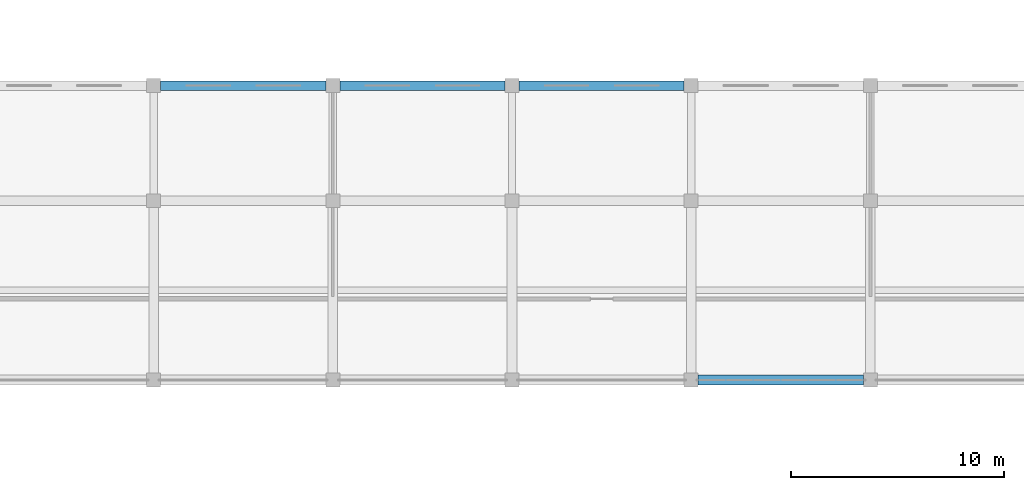
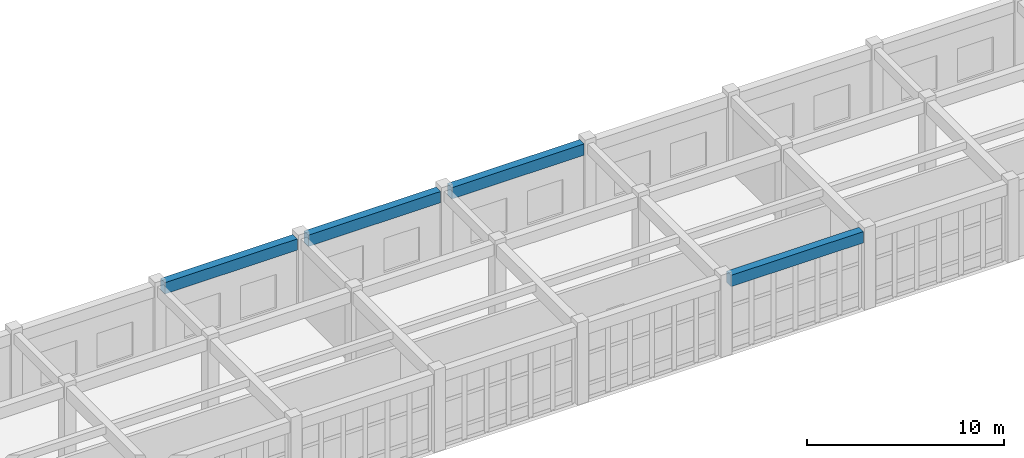
# One storey, part 38 of 80: 4 beams.
"""IFC4 building model written with IfcOpenShell, lengths in metres."""

import ifcopenshell
import ifcopenshell.guid

model = None  # the IFC model being written
_history = None  # IfcOwnerHistory: only IFC2X3 demands one
_inside = {}  # id of a spatial element -> (the spatial element, [elements in it])
_under = {}  # id of a project, library or spatial element -> (it, [spatial elements below it])
_declared = {}  # id of a project -> (the project, [libraries it declares])
_typed = {}  # id of a type object -> (the type object, [elements of that type])
_made_of = {}  # id of a material, layer set ... -> (it, [elements and type objects made of it])


def new_model(schema):
    """Start an empty IFC model of exactly this schema.

    Asked for "IFC4X3", IfcOpenShell would pick the latest addendum, in which some entities
    have other attributes; the version numbers below select the first issue.
    IFC2X3 requires an IfcOwnerHistory on every rooted entity: one is made here for all.
    """
    global model, _history
    if schema == "IFC4X3":
        model = ifcopenshell.file(schema_version=(4, 3, 0, 0))
    else:
        model = ifcopenshell.file(schema=schema)
    _inside.clear()
    _under.clear()
    _declared.clear()
    _typed.clear()
    _made_of.clear()
    _history = None
    if model.schema == "IFC2X3":
        org = make("IfcOrganization", Name="unknown")
        user = make(
            "IfcPersonAndOrganization",
            ThePerson=make("IfcPerson", FamilyName="unknown"),
            TheOrganization=org,
        )
        app = make(
            "IfcApplication",
            ApplicationDeveloper=org,
            Version="unknown",
            ApplicationFullName="unknown",
            ApplicationIdentifier="unknown",
        )
        _history = make(
            "IfcOwnerHistory",
            OwningUser=user,
            OwningApplication=app,
            ChangeAction="ADDED",
            CreationDate=0,
        )
    return model


def make(cls, **values):
    """One entity of the class cls with the attributes given. An attribute that is None is left unset."""
    return model.create_entity(
        cls, **{name: value for name, value in values.items() if value is not None}
    )


def rooted(cls, **values):
    """An entity with a GlobalId (a new one), such as an element, a storey or a relation."""
    return make(cls, GlobalId=ifcopenshell.guid.new(), OwnerHistory=_history, **values)


def si_unit(unit_type, name, prefix=None):
    """IfcSIUnit, for example si_unit("LENGTHUNIT", "METRE", prefix="MILLI")."""
    return make("IfcSIUnit", UnitType=unit_type, Prefix=prefix, Name=name)


def assignment(units):
    """IfcUnitAssignment: the units of a project."""
    return None if units is None else make("IfcUnitAssignment", Units=units)


def point(xyz):
    """IfcCartesianPoint."""
    return None if xyz is None else make("IfcCartesianPoint", Coordinates=xyz)


def direction(xyz):
    """IfcDirection."""
    return None if xyz is None else make("IfcDirection", DirectionRatios=xyz)


def frame(location, z_axis=None, x_axis=None):
    """IfcAxis2Placement3D, a coordinate frame: its origin and axes. An axis left out is left unset."""
    return make(
        "IfcAxis2Placement3D",
        Location=point(location),
        Axis=direction(z_axis),
        RefDirection=direction(x_axis),
    )


def frame_2d(location, x_axis=None):
    """IfcAxis2Placement2D, a coordinate frame in the plane: its origin and x axis."""
    return make(
        "IfcAxis2Placement2D", Location=point(location), RefDirection=direction(x_axis)
    )


def origin():
    """The frame at (0, 0, 0) with its axes left unset."""
    return frame((0.0, 0.0, 0.0))


def origin_2d():
    """The frame at (0, 0) in the plane with its x axis left unset."""
    return frame_2d((0.0, 0.0))


def place(relative_to, where):
    """IfcLocalPlacement: puts the frame where relative to a parent placement (None: the world)."""
    return make(
        "IfcLocalPlacement", PlacementRelTo=relative_to, RelativePlacement=where
    )


def context(
    kind, dimensions, precision=None, world=None, true_north=None, identifier=None
):
    """IfcGeometricRepresentationContext, for example the 3D "Model" context."""
    return make(
        "IfcGeometricRepresentationContext",
        ContextIdentifier=identifier,
        ContextType=kind,
        CoordinateSpaceDimension=dimensions,
        Precision=precision,
        WorldCoordinateSystem=world,
        TrueNorth=true_north,
    )


def subcontext(parent, identifier, kind, view, scale=None):
    """IfcGeometricRepresentationSubContext, for example "Body" below "Model"."""
    return make(
        "IfcGeometricRepresentationSubContext",
        ContextIdentifier=identifier,
        ContextType=kind,
        ParentContext=parent,
        TargetScale=scale,
        TargetView=view,
    )


def project(units=None, contexts=None):
    """IfcProject with its units and contexts."""
    return rooted(
        "IfcProject",
        Name="project",
        RepresentationContexts=contexts,
        UnitsInContext=assignment(units),
    )


def spatial(cls, under=None, at=None, **own):
    """A site, building, storey or space (cls), placed at a placement, below another one or the project."""
    s = rooted(cls, ObjectPlacement=at, **own)
    if under is not None:
        _under.setdefault(under.id(), (under, []))[1].append(s)
    return s


def profile(cls, at=None, kind="AREA", **sizes):
    """A parametric profile (cls). Its sizes go by their IFC names, for example OverallWidth=200.0."""
    return make(cls, ProfileType=kind, Position=at, **sizes)


def rectangle(**sizes):
    """IfcRectangleProfileDef."""
    return profile("IfcRectangleProfileDef", **sizes)


def extrude(swept, where, along, depth):
    """IfcExtrudedAreaSolid: the profile swept, set in the frame where, extruded along a direction by depth."""
    return make(
        "IfcExtrudedAreaSolid",
        SweptArea=swept,
        Position=where,
        ExtrudedDirection=direction(along),
        Depth=depth,
    )


def shape(context_of_items, identifier, shape_type, items):
    """IfcShapeRepresentation: the items that make up one representation, for example the "Body"."""
    return make(
        "IfcShapeRepresentation",
        ContextOfItems=context_of_items,
        RepresentationIdentifier=identifier,
        RepresentationType=shape_type,
        Items=items,
    )


def material(Name=None, Category=None):
    """IfcMaterial."""
    return make("IfcMaterial", Name=Name, Category=Category)


def material_profile(
    of_material, cross_section, Name=None, Category=None, Priority=None
):
    """IfcMaterialProfile: a cross section and its material."""
    return make(
        "IfcMaterialProfile",
        Name=Name,
        Material=of_material,
        Profile=cross_section,
        Priority=Priority,
        Category=Category,
    )


def profile_set(profiles, Name=None, composite=None):
    """IfcMaterialProfileSet."""
    return make(
        "IfcMaterialProfileSet",
        Name=Name,
        MaterialProfiles=profiles,
        CompositeProfile=composite,
    )


def made_of(thing, what):
    """Note that an element or type object is made of a material, layer set ...; save() writes the relation."""
    if what is not None:
        _made_of.setdefault(what.id(), (what, []))[1].append(thing)
    return thing


def type_object(cls, material=None, **own):
    """A type object (cls), such as IfcWallType, which elements share."""
    return made_of(rooted(cls, **own), material)


def element(
    cls,
    number,
    at=None,
    inside=None,
    cuts=None,
    type_object=None,
    material=None,
    context=None,
    identifier="Body",
    shape_type=None,
    held_by="IfcProductDefinitionShape",
    body=None,
    shapes=None,
    **own,
):
    """One element of the class cls, such as IfcWall. Its Tag is "e" and its number.

    at: its placement. inside: the storey or other place that contains it. cuts: it is an
    opening in that element (IfcRelVoidsElement). A single representation is given by context,
    identifier, shape_type and body (its items); several are given by shapes. held_by: the class
    of the entity that holds the representations. save() writes the other relations.
    """
    e = rooted(cls, Tag="e%d" % number, ObjectPlacement=at, **own)
    if body is not None:
        shapes = [shape(context, identifier, shape_type, body)]
    if shapes is not None:
        e.Representation = make(held_by, Representations=shapes)
    if inside is not None:
        _inside.setdefault(inside.id(), (inside, []))[1].append(e)
    if cuts is not None:
        rooted(
            "IfcRelVoidsElement", RelatingBuildingElement=cuts, RelatedOpeningElement=e
        )
    if type_object is not None:
        _typed.setdefault(type_object.id(), (type_object, []))[1].append(e)
    return made_of(e, material)


def aggregate(whole, parts):
    """IfcRelAggregates: a whole, such as a stair, and the parts it consists of."""
    return rooted("IfcRelAggregates", RelatingObject=whole, RelatedObjects=parts)


def save(model, path):
    """Write the relations noted so far, then the file.

    IfcRelAggregates (storeys below a building ...), IfcRelContainedInSpatialStructure (elements
    in a storey), IfcRelDefinesByType, IfcRelAssociatesMaterial and IfcRelDeclares: one each for
    every whole, place, type object, material and project.
    """
    for whole, parts in _under.values():
        aggregate(whole, parts)
    for where, things in _inside.values():
        rooted(
            "IfcRelContainedInSpatialStructure",
            RelatedElements=things,
            RelatingStructure=where,
        )
    for kind, things in _typed.values():
        rooted("IfcRelDefinesByType", RelatedObjects=things, RelatingType=kind)
    for what, things in _made_of.values():
        rooted("IfcRelAssociatesMaterial", RelatedObjects=things, RelatingMaterial=what)
    for by, libraries in _declared.values():
        rooted("IfcRelDeclares", RelatingContext=by, RelatedDefinitions=libraries)
    model.write(path)


model = new_model("IFC4")

# Units and contexts
model_context = context("Model", 3, precision=1e-05, world=origin(), true_north=direction((0.0, 1.0)))
body_context = subcontext(model_context, "Body", "Model", "MODEL_VIEW")
ifc_project = project(units=[si_unit("LENGTHUNIT", "METRE"), si_unit("AREAUNIT", "SQUARE_METRE"), si_unit("VOLUMEUNIT", "CUBIC_METRE"), si_unit("PLANEANGLEUNIT", "RADIAN"), si_unit("MASSUNIT", "GRAM", prefix="KILO")], contexts=[model_context])

# Site, building, storey
site_placement = place(None, origin())
site = spatial("IfcSite", under=ifc_project, at=site_placement, CompositionType="ELEMENT")
building_placement = place(site_placement, origin())
building = spatial("IfcBuilding", under=site, at=building_placement, Name="Krzemoval Escarpment Law Courts", CompositionType="ELEMENT")
storey_placement = place(building_placement, origin())
storey = spatial("IfcBuildingStorey", under=building, at=storey_placement, Name="L00", CompositionType="ELEMENT", Elevation=0.0)

# Beams
ifc_material = material(Name="Concrete C40/50", Category="concrete")
ifc_material_profile = material_profile(ifc_material, rectangle(XDim=0.449951171875, YDim=0.699951171875, at=origin_2d()), Name="RCB 450x700")
ifc_profile_set = profile_set([ifc_material_profile], Name="Concrete C40/50")
beam_type = type_object("IfcBeamType", Name="BM-RC-450x700", PredefinedType="BEAM", material=ifc_profile_set)
for number, where, z_axis, x_axis, name in (
    (1, (92.72509765625, 99.60009765625, 4.469970703125), (1.0, 0.0, 0.0), (0.0, 1.0, 0.0), "Beam FG-L00-0752"),
    (2, (67.52490234375, 113.39990234375, 4.469970703125), (1.0, 0.0, 0.0), (0.0, 1.0, 0.0), "Beam FG-L00-0787"),
    (3, (75.925048828125, 113.39990234375, 4.469970703125), (1.0, 0.0, 0.0), (0.0, 1.0, 0.0), "Beam FG-L00-0788"),
    (4, (84.324951171875, 113.39990234375, 4.469970703125), (1.0, 0.0, 0.0), (0.0, 1.0, 0.0), "Beam FG-L00-0789"),
):
    element("IfcBeam", number, at=place(storey_placement, frame(where, z_axis=z_axis, x_axis=x_axis)), inside=storey, type_object=beam_type, Name=name, PredefinedType="BEAM", context=body_context, shape_type="SweptSolid", body=[
        extrude(rectangle(XDim=0.449951171875, YDim=0.699951171875, at=origin_2d()), origin(), (0.0, 0.0, 1.0), 7.75),
    ])

save(model, "model.ifc")
